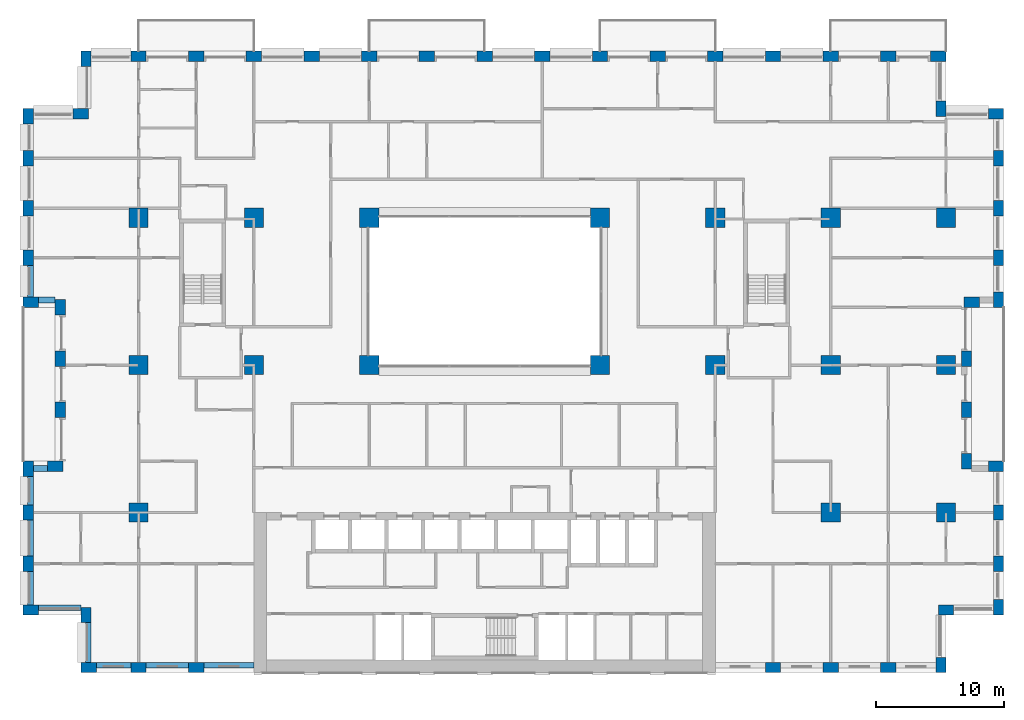
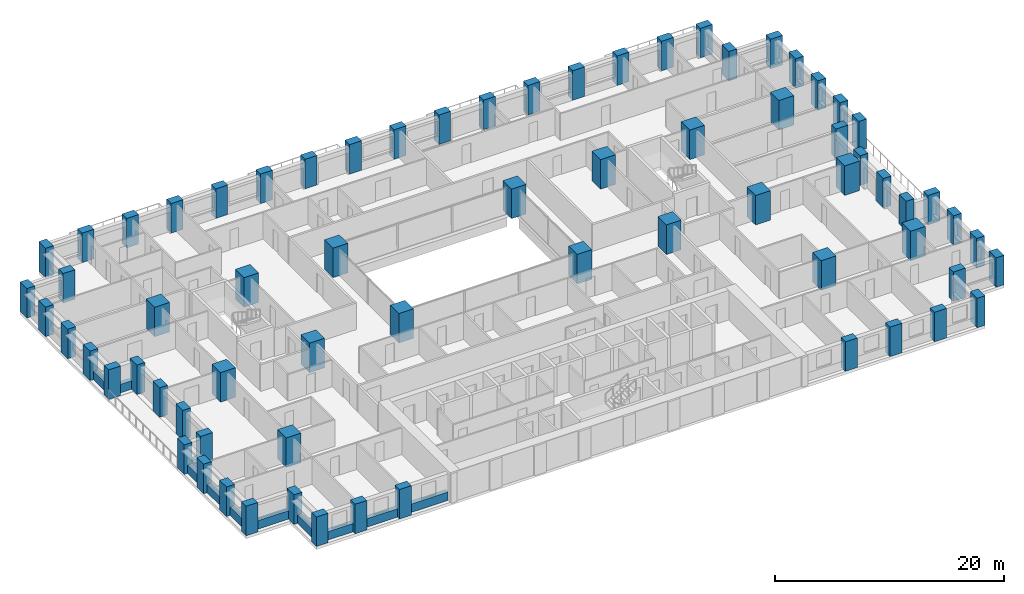
# One storey, part 1 of 20: 70 columns, 11 beams.
"""IFC4 building model written with IfcOpenShell, lengths in metres."""

from ifc_helpers import new_model, si_unit, direction, frame, origin, origin_2d, place, context, subcontext, project, spatial, rectangle, extrude, material, material_profile, profile_set, type_object, element, save


model = new_model("IFC4")

# Units and contexts
model_context = context("Model", 3, precision=1e-05, world=origin(), true_north=direction((0.0, 1.0)))
body_context = subcontext(model_context, "Body", "Model", "MODEL_VIEW")
ifc_project = project(units=[si_unit("LENGTHUNIT", "METRE"), si_unit("AREAUNIT", "SQUARE_METRE"), si_unit("VOLUMEUNIT", "CUBIC_METRE"), si_unit("PLANEANGLEUNIT", "RADIAN"), si_unit("MASSUNIT", "GRAM", prefix="KILO")], contexts=[model_context])

# Site, building, storey
site_placement = place(None, origin())
site = spatial("IfcSite", under=ifc_project, at=site_placement, CompositionType="ELEMENT")
building_placement = place(site_placement, origin())
building = spatial("IfcBuilding", under=site, at=building_placement, Name="Brigalow Station Residences", CompositionType="ELEMENT")
storey_placement = place(building_placement, frame((0.0, 0.0, 63.60009765625)))
storey = spatial("IfcBuildingStorey", under=building, at=storey_placement, Name="L18", CompositionType="ELEMENT", Elevation=63.60009765625)

# Columns
ifc_material_1 = material(Name="Concrete C80", Category="concrete")
ifc_material_profile_1 = material_profile(ifc_material_1, rectangle(XDim=1.5, YDim=1.5, at=origin_2d()), Name="RC1500x1500")
ifc_profile_set_1 = profile_set([ifc_material_profile_1], Name="Concrete C80")
column_type_1 = type_object("IfcColumnType", Name="COLUMN 1500x1500 C80", PredefinedType="COLUMN", material=ifc_profile_set_1)
for number, where, z_axis, x_axis, name in (
    (1, (9.0, 24.0, 0.0), (0.0, 0.0, 1.0), (1.0, 0.0, 0.0), "COLUMN C1 L18"),
    (2, (18.0, 24.0, 0.0), (0.0, 0.0, 1.0), (1.0, 0.0, 0.0), "COLUMN C2 L18"),
    (3, (27.0, 24.0, 0.0), (0.0, 0.0, 1.0), (1.0, 0.0, 0.0), "COLUMN C3 L18"),
    (4, (45.0, 24.0, 0.0), (0.0, 0.0, 1.0), (1.0, 0.0, 0.0), "COLUMN C5 L18"),
    (5, (54.0, 24.0, 0.0), (0.0, 0.0, 1.0), (1.0, 0.0, 0.0), "COLUMN C6 L18"),
    (6, (63.0, 24.0, 0.0), (0.0, 0.0, 1.0), (1.0, 0.0, 0.0), "COLUMN C7 L18"),
    (7, (72.0, 24.0, 0.0), (0.0, 0.0, 1.0), (1.0, 0.0, 0.0), "COLUMN C8 L18"),
    (8, (9.0, 35.5, 0.0), (0.0, 0.0, 1.0), (1.0, 0.0, 0.0), "COLUMN D1 L18"),
    (9, (18.0, 35.5, 0.0), (0.0, 0.0, 1.0), (1.0, 0.0, 0.0), "COLUMN D2 L18"),
    (10, (27.0, 35.5, 0.0), (0.0, 0.0, 1.0), (1.0, 0.0, 0.0), "COLUMN D3 L18"),
    (11, (45.0, 35.5, 0.0), (0.0, 0.0, 1.0), (1.0, 0.0, 0.0), "COLUMN D5 L18"),
    (12, (54.0, 35.5, 0.0), (0.0, 0.0, 1.0), (1.0, 0.0, 0.0), "COLUMN D6 L18"),
    (13, (63.0, 35.5, 0.0), (0.0, 0.0, 1.0), (1.0, 0.0, 0.0), "COLUMN D7 L18"),
    (14, (72.0, 35.5, 0.0), (0.0, 0.0, 1.0), (1.0, 0.0, 0.0), "COLUMN D8 L18"),
    (15, (9.0, 12.5, 0.0), (0.0, 0.0, 1.0), (1.0, 0.0, 0.0), "COLUMN B1 L18"),
    (16, (63.0, 12.5, 0.0), (0.0, 0.0, 1.0), (1.0, 0.0, 0.0), "COLUMN B7 L18"),
    (17, (72.0, 12.5, 0.0), (0.0, 0.0, 1.0), (1.0, 0.0, 0.0), "COLUMN B8 L18"),
):
    element("IfcColumn", number, at=place(storey_placement, frame(where, z_axis=z_axis, x_axis=x_axis)), inside=storey, type_object=column_type_1, Name=name, PredefinedType="COLUMN", context=body_context, shape_type="SweptSolid", body=[
        extrude(rectangle(XDim=1.5, YDim=1.5, at=origin_2d()), origin(), (0.0, 0.0, 1.0), 3.14990234375),
    ])
ifc_material_2 = material(Name="Concrete C80", Category="concrete")
ifc_material_profile_2 = material_profile(ifc_material_2, rectangle(XDim=1.199951171875, YDim=0.800048828125, at=origin_2d()), Name="RC1200x800")
ifc_profile_set_2 = profile_set([ifc_material_profile_2], Name="Concrete C80")
column_type_2 = type_object("IfcColumnType", Name="PIER 1200x800 C80", PredefinedType="USERDEFINED", material=ifc_profile_set_2)
for number, where, z_axis, x_axis, name in (
    (18, (5.10009765625, 0.39990234375, 0.0), (0.0, 0.0, 1.0), (1.0, 0.0, 0.0), "PIER S-1 L18"),
    (19, (9.0, 0.39990234375, 0.0), (0.0, 0.0, 1.0), (1.0, 0.0, 0.0), "PIER S-2 L18"),
    (20, (13.5, 0.39990234375, 0.0), (0.0, 0.0, 1.0), (1.0, 0.0, 0.0), "PIER S-3 L18"),
    (21, (58.5, 0.39990234375, 0.0), (0.0, 0.0, 1.0), (1.0, 0.0, 0.0), "PIER S-13 L18"),
    (22, (63.0, 0.39990234375, 0.0), (0.0, 0.0, 1.0), (1.0, 0.0, 0.0), "PIER S-14 L18"),
    (23, (67.5, 0.39990234375, 0.0), (0.0, 0.0, 1.0), (1.0, 0.0, 0.0), "PIER S-15 L18"),
    (24, (71.60009765625, 0.60009765625, 0.0), (0.0, 0.0, 1.0), (0.0, 1.0, 0.0), "PIER SE1-1 L18"),
    (25, (72.0, 4.89990234375, 0.0), (0.0, 0.0, 1.0), (1.0, 0.0, 0.0), "PIER SE2-1 L18"),
    (26, (76.10009765625, 5.10009765625, 0.0), (0.0, 0.0, 1.0), (0.0, 1.0, 0.0), "PIER E1-1 L18"),
    (27, (76.10009765625, 8.5, 0.0), (0.0, 0.0, 1.0), (0.0, 1.0, 0.0), "PIER E1-2 L18"),
    (28, (76.10009765625, 12.5, 0.0), (0.0, 0.0, 1.0), (0.0, 1.0, 0.0), "PIER E1-3 L18"),
    (29, (75.89990234375, 16.10009765625, 0.0), (0.0, 0.0, 1.0), (-1.0, 0.0, 0.0), "PIER EL1-1 L18"),
    (30, (73.60009765625, 16.5, 0.0), (0.0, 0.0, 1.0), (0.0, 1.0, 0.0), "PIER EL2-1 L18"),
    (31, (73.60009765625, 20.5, 0.0), (0.0, 0.0, 1.0), (0.0, 1.0, 0.0), "PIER EL2-2 L18"),
    (32, (73.60009765625, 24.5, 0.0), (0.0, 0.0, 1.0), (0.0, 1.0, 0.0), "PIER EL2-3 L18"),
    (33, (74.0, 28.89990234375, 0.0), (0.0, 0.0, 1.0), (1.0, 0.0, 0.0), "PIER EL3-1 L18"),
    (34, (76.10009765625, 29.10009765625, 0.0), (0.0, 0.0, 1.0), (0.0, 1.0, 0.0), "PIER E2-1 L18"),
    (35, (76.10009765625, 32.375, 0.0), (0.0, 0.0, 1.0), (0.0, 1.0, 0.0), "PIER E2-2 L18"),
    (36, (76.10009765625, 36.25, 0.0), (0.0, 0.0, 1.0), (0.0, 1.0, 0.0), "PIER E2-3 L18"),
    (37, (76.10009765625, 40.125, 0.0), (0.0, 0.0, 1.0), (0.0, 1.0, 0.0), "PIER E2-4 L18"),
    (38, (75.89990234375, 43.60009765625, 0.0), (0.0, 0.0, 1.0), (-1.0, 0.0, 0.0), "PIER NE1-1 L18"),
    (39, (71.60009765625, 44.0, 0.0), (0.0, 0.0, 1.0), (0.0, 1.0, 0.0), "PIER NE2-1 L18"),
    (40, (71.39990234375, 48.10009765625, 0.0), (0.0, 0.0, 1.0), (-1.0, 0.0, 0.0), "PIER N-1 L18"),
    (41, (67.5, 48.10009765625, 0.0), (0.0, 0.0, 1.0), (-1.0, 0.0, 0.0), "PIER N-2 L18"),
    (42, (63.0, 48.10009765625, 0.0), (0.0, 0.0, 1.0), (-1.0, 0.0, 0.0), "PIER N-3 L18"),
    (43, (58.5, 48.10009765625, 0.0), (0.0, 0.0, 1.0), (-1.0, 0.0, 0.0), "PIER N-4 L18"),
    (44, (54.0, 48.10009765625, 0.0), (0.0, 0.0, 1.0), (-1.0, 0.0, 0.0), "PIER N-5 L18"),
    (45, (49.5, 48.10009765625, 0.0), (0.0, 0.0, 1.0), (-1.0, 0.0, 0.0), "PIER N-6 L18"),
    (46, (45.0, 48.10009765625, 0.0), (0.0, 0.0, 1.0), (-1.0, 0.0, 0.0), "PIER N-7 L18"),
    (47, (40.5, 48.10009765625, 0.0), (0.0, 0.0, 1.0), (-1.0, 0.0, 0.0), "PIER N-8 L18"),
    (48, (36.0, 48.10009765625, 0.0), (0.0, 0.0, 1.0), (-1.0, 0.0, 0.0), "PIER N-9 L18"),
    (49, (31.5, 48.10009765625, 0.0), (0.0, 0.0, 1.0), (-1.0, 0.0, 0.0), "PIER N-10 L18"),
    (50, (27.0, 48.10009765625, 0.0), (0.0, 0.0, 1.0), (-1.0, 0.0, 0.0), "PIER N-11 L18"),
    (51, (22.5, 48.10009765625, 0.0), (0.0, 0.0, 1.0), (-1.0, 0.0, 0.0), "PIER N-12 L18"),
    (52, (18.0, 48.10009765625, 0.0), (0.0, 0.0, 1.0), (-1.0, 0.0, 0.0), "PIER N-13 L18"),
    (53, (13.5, 48.10009765625, 0.0), (0.0, 0.0, 1.0), (-1.0, 0.0, 0.0), "PIER N-14 L18"),
    (54, (9.0, 48.10009765625, 0.0), (0.0, 0.0, 1.0), (-1.0, 0.0, 0.0), "PIER N-15 L18"),
    (55, (4.89990234375, 47.89990234375, 0.0), (0.0, 0.0, 1.0), (0.0, -1.0, 0.0), "PIER NW1-1 L18"),
    (56, (4.5, 43.60009765625, 0.0), (0.0, 0.0, 1.0), (-1.0, 0.0, 0.0), "PIER NW2-1 L18"),
    (57, (0.39990234375, 43.39990234375, 0.0), (0.0, 0.0, 1.0), (0.0, -1.0, 0.0), "PIER W2-1 L18"),
    (58, (0.39990234375, 40.125, 0.0), (0.0, 0.0, 1.0), (0.0, -1.0, 0.0), "PIER W2-2 L18"),
    (59, (0.39990234375, 36.25, 0.0), (0.0, 0.0, 1.0), (0.0, -1.0, 0.0), "PIER W2-3 L18"),
    (60, (0.39990234375, 32.375, 0.0), (0.0, 0.0, 1.0), (0.0, -1.0, 0.0), "PIER W2-4 L18"),
    (61, (0.60009765625, 28.89990234375, 0.0), (0.0, 0.0, 1.0), (1.0, 0.0, 0.0), "PIER WL1-1 L18"),
    (62, (2.89990234375, 28.5, 0.0), (0.0, 0.0, 1.0), (0.0, -1.0, 0.0), "PIER WL2-1 L18"),
    (63, (2.89990234375, 24.5, 0.0), (0.0, 0.0, 1.0), (0.0, -1.0, 0.0), "PIER WL2-2 L18"),
    (64, (2.89990234375, 20.5, 0.0), (0.0, 0.0, 1.0), (0.0, -1.0, 0.0), "PIER WL2-3 L18"),
    (65, (2.5, 16.10009765625, 0.0), (0.0, 0.0, 1.0), (-1.0, 0.0, 0.0), "PIER WL3-1 L18"),
    (66, (0.39990234375, 15.89990234375, 0.0), (0.0, 0.0, 1.0), (0.0, -1.0, 0.0), "PIER W1-1 L18"),
    (67, (0.39990234375, 12.5, 0.0), (0.0, 0.0, 1.0), (0.0, -1.0, 0.0), "PIER W1-2 L18"),
    (68, (0.39990234375, 8.5, 0.0), (0.0, 0.0, 1.0), (0.0, -1.0, 0.0), "PIER W1-3 L18"),
    (69, (0.60009765625, 4.89990234375, 0.0), (0.0, 0.0, 1.0), (1.0, 0.0, 0.0), "PIER SW1-1 L18"),
    (70, (4.89990234375, 4.5, 0.0), (0.0, 0.0, 1.0), (0.0, -1.0, 0.0), "PIER SW2-1 L18"),
):
    element("IfcColumn", number, at=place(storey_placement, frame(where, z_axis=z_axis, x_axis=x_axis)), inside=storey, type_object=column_type_2, Name=name, ObjectType="PIER", PredefinedType="USERDEFINED", context=body_context, shape_type="SweptSolid", body=[
        extrude(rectangle(XDim=1.199951171875, YDim=0.800048828125, at=origin_2d()), origin(), (0.0, 0.0, 1.0), 3.14990234375),
    ])

# Beams
ifc_material_3 = material(Name="Concrete C65", Category="concrete")
ifc_material_profile_3 = material_profile(ifc_material_3, rectangle(XDim=0.449951171875, YDim=0.89990234375, at=origin_2d()), Name="RC450x900")
ifc_profile_set_3 = profile_set([ifc_material_profile_3], Name="Concrete C65")
beam_type = type_object("IfcBeamType", Name="SPANDREL BEAM 450x900 C65", PredefinedType="SPANDREL", material=ifc_profile_set_3)
beam_1_placement = place(storey_placement, frame((5.699951171875, 0.574951171875, 0.449951171875), z_axis=(1.0, 0.0, 0.0), x_axis=(0.0, 1.0, 0.0)))
element("IfcBeam", 71, at=beam_1_placement, inside=storey, type_object=beam_type, Name="L18/spandrel/W-L18-1", PredefinedType="SPANDREL", context=body_context, shape_type="SweptSolid", body=[
    extrude(rectangle(XDim=0.449951171875, YDim=0.89990234375, at=origin_2d()), origin(), (0.0, 0.0, 1.0), 2.699951171875),
])
beam_2_placement = place(storey_placement, frame((9.60009765625, 0.574951171875, 0.449951171875), z_axis=(1.0, 0.0, 0.0), x_axis=(0.0, 1.0, 0.0)))
element("IfcBeam", 72, at=beam_2_placement, inside=storey, type_object=beam_type, Name="L18/spandrel/W-L18-2", PredefinedType="SPANDREL", context=body_context, shape_type="SweptSolid", body=[
    extrude(rectangle(XDim=0.449951171875, YDim=0.89990234375, at=origin_2d()), origin(), (0.0, 0.0, 1.0), 3.2998046875),
])
beam_3_placement = place(storey_placement, frame((14.10009765625, 0.574951171875, 0.449951171875), z_axis=(1.0, 0.0, 0.0), x_axis=(0.0, 1.0, 0.0)))
element("IfcBeam", 73, at=beam_3_placement, inside=storey, type_object=beam_type, Name="L18/spandrel/W-L18-3", PredefinedType="SPANDREL", context=body_context, shape_type="SweptSolid", body=[
    extrude(rectangle(XDim=0.449951171875, YDim=0.89990234375, at=origin_2d()), origin(), (0.0, 0.0, 1.0), 3.89990234375),
])
beam_4_placement = place(storey_placement, frame((0.574951171875, 31.77490234375, 0.449951171875), z_axis=(0.0, -1.0, 0.0), x_axis=(1.0, 0.0, 0.0)))
element("IfcBeam", 74, at=beam_4_placement, inside=storey, type_object=beam_type, Name="L18/spandrel/W-L18-45", PredefinedType="SPANDREL", context=body_context, shape_type="SweptSolid", body=[
    extrude(rectangle(XDim=0.449951171875, YDim=0.89990234375, at=origin_2d()), origin(), (0.0, 0.0, 1.0), 2.474853515625),
])
beam_5_placement = place(storey_placement, frame((1.199951171875, 29.074951171875, 0.449951171875), z_axis=(1.0, 0.0, 0.0), x_axis=(0.0, 1.0, 0.0)))
element("IfcBeam", 75, at=beam_5_placement, inside=storey, type_object=beam_type, Name="L18/spandrel/W-L18-46", PredefinedType="SPANDREL", context=body_context, shape_type="SweptSolid", body=[
    extrude(rectangle(XDim=0.449951171875, YDim=0.89990234375, at=origin_2d()), origin(), (0.0, 0.0, 1.0), 1.300048828125),
])
beam_6_placement = place(storey_placement, frame((1.89990234375, 15.925048828125, 0.449951171875), z_axis=(-1.0, 0.0, 0.0), x_axis=(0.0, -1.0, 0.0)))
element("IfcBeam", 76, at=beam_6_placement, inside=storey, type_object=beam_type, Name="L18/spandrel/W-L18-50", PredefinedType="SPANDREL", context=body_context, shape_type="SweptSolid", body=[
    extrude(rectangle(XDim=0.449951171875, YDim=0.89990234375, at=origin_2d()), origin(), (0.0, 0.0, 1.0), 1.099853515625),
])
beam_7_placement = place(storey_placement, frame((0.574951171875, 15.300048828125, 0.449951171875), z_axis=(0.0, -1.0, 0.0), x_axis=(1.0, 0.0, 0.0)))
element("IfcBeam", 77, at=beam_7_placement, inside=storey, type_object=beam_type, Name="L18/spandrel/W-L18-51", PredefinedType="SPANDREL", context=body_context, shape_type="SweptSolid", body=[
    extrude(rectangle(XDim=0.449951171875, YDim=0.89990234375, at=origin_2d()), origin(), (0.0, 0.0, 1.0), 2.199951171875),
])
beam_8_placement = place(storey_placement, frame((0.574951171875, 11.89990234375, 0.449951171875), z_axis=(0.0, -1.0, 0.0), x_axis=(1.0, 0.0, 0.0)))
element("IfcBeam", 78, at=beam_8_placement, inside=storey, type_object=beam_type, Name="L18/spandrel/W-L18-52", PredefinedType="SPANDREL", context=body_context, shape_type="SweptSolid", body=[
    extrude(rectangle(XDim=0.449951171875, YDim=0.89990234375, at=origin_2d()), origin(), (0.0, 0.0, 1.0), 2.7998046875),
])
beam_9_placement = place(storey_placement, frame((0.574951171875, 7.89990234375, 0.449951171875), z_axis=(0.0, -1.0, 0.0), x_axis=(1.0, 0.0, 0.0)))
element("IfcBeam", 79, at=beam_9_placement, inside=storey, type_object=beam_type, Name="L18/spandrel/W-L18-53", PredefinedType="SPANDREL", context=body_context, shape_type="SweptSolid", body=[
    extrude(rectangle(XDim=0.449951171875, YDim=0.89990234375, at=origin_2d()), origin(), (0.0, 0.0, 1.0), 2.599853515625),
])
beam_10_placement = place(storey_placement, frame((1.199951171875, 5.074951171875, 0.449951171875), z_axis=(1.0, 0.0, 0.0), x_axis=(0.0, 1.0, 0.0)))
element("IfcBeam", 80, at=beam_10_placement, inside=storey, type_object=beam_type, Name="L18/spandrel/W-L18-54", PredefinedType="SPANDREL", context=body_context, shape_type="SweptSolid", body=[
    extrude(rectangle(XDim=0.449951171875, YDim=0.89990234375, at=origin_2d()), origin(), (0.0, 0.0, 1.0), 3.300048828125),
])
beam_11_placement = place(storey_placement, frame((5.074951171875, 3.89990234375, 0.449951171875), z_axis=(0.0, -1.0, 0.0), x_axis=(1.0, 0.0, 0.0)))
element("IfcBeam", 81, at=beam_11_placement, inside=storey, type_object=beam_type, Name="L18/spandrel/W-L18-55", PredefinedType="SPANDREL", context=body_context, shape_type="SweptSolid", body=[
    extrude(rectangle(XDim=0.449951171875, YDim=0.89990234375, at=origin_2d()), origin(), (0.0, 0.0, 1.0), 3.099853515625),
])

save(model, "model.ifc")
